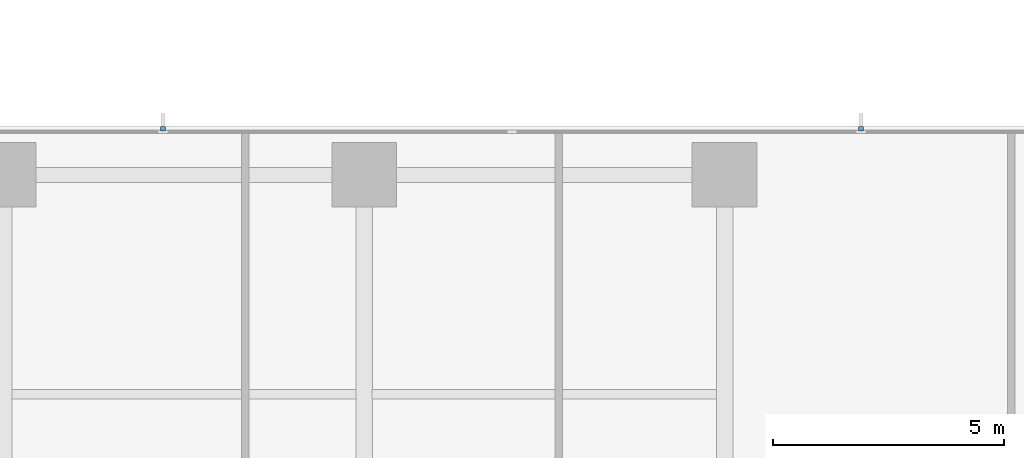
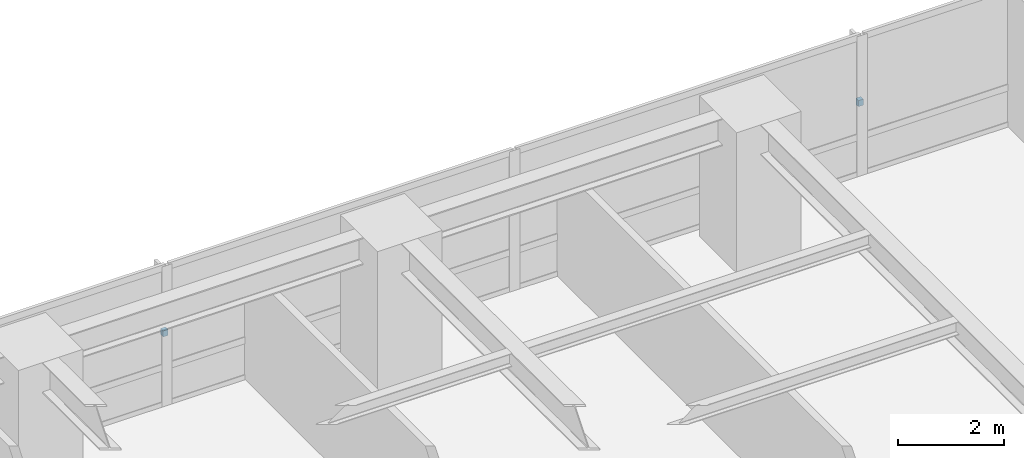
# One storey, part 14 of 17: 2 discrete accessories.
"""IFC4 building model written with IfcOpenShell, lengths in metres."""

from ifc_helpers import new_model, si_unit, direction, frame, origin, place, context, subcontext, project, spatial, polyline, outline, extrude, material, type_object, element, save


model = new_model("IFC4")

# Units and contexts
model_context = context("Model", 3, precision=1e-05, world=origin(), true_north=direction((0.0, 1.0)))
body_context = subcontext(model_context, "Body", "Model", "MODEL_VIEW")
ifc_project = project(units=[si_unit("LENGTHUNIT", "METRE"), si_unit("AREAUNIT", "SQUARE_METRE"), si_unit("VOLUMEUNIT", "CUBIC_METRE"), si_unit("PLANEANGLEUNIT", "RADIAN"), si_unit("MASSUNIT", "GRAM", prefix="KILO")], contexts=[model_context])

# Site, building, storey
site_placement = place(None, origin())
site = spatial("IfcSite", under=ifc_project, at=site_placement, CompositionType="ELEMENT")
building_placement = place(site_placement, origin())
building = spatial("IfcBuilding", under=site, at=building_placement, Name="Qalmaran Belvedere Hotel", CompositionType="ELEMENT")
storey_placement = place(building_placement, frame((0.0, 0.0, 33.39990234375)))
storey = spatial("IfcBuildingStorey", under=building, at=storey_placement, Name="L07", CompositionType="ELEMENT", Elevation=33.39990234375)

# Discrete accessories
ifc_material = material(Name="Stainless Steel 1.4401", Category="steel")
discrete_accessory_type = type_object("IfcDiscreteAccessoryType", Name="BRK-FIN-SS316", PredefinedType="BRACKET", material=ifc_material)
discrete_accessory_1_placement = place(storey_placement, frame((0.0, 0.0, 1.56005859375)))
element("IfcDiscreteAccessory", 1, at=discrete_accessory_1_placement, inside=storey, type_object=discrete_accessory_type, Name="L07 Fin Bracket 1", PredefinedType="BRACKET", context=body_context, shape_type="SweptSolid", body=[
    extrude(outline(polyline([(47.804931640625, 48.39501953125), (47.804931640625, 48.492431640625), (47.695068359375, 48.492431640625), (47.695068359375, 48.39501953125), (47.804931640625, 48.39501953125)])), origin(), (0.0, 0.0, 1.0), 0.14013671875),
])
discrete_accessory_2_placement = place(storey_placement, frame((0.0, 0.0, 1.56005859375)))
element("IfcDiscreteAccessory", 2, at=discrete_accessory_2_placement, inside=storey, type_object=discrete_accessory_type, Name="L07 Fin Bracket 3", PredefinedType="BRACKET", context=body_context, shape_type="SweptSolid", body=[
    extrude(outline(polyline([(32.705078125, 48.39501953125), (32.705078125, 48.492431640625), (32.594970703125, 48.492431640625), (32.594970703125, 48.39501953125), (32.705078125, 48.39501953125)])), origin(), (0.0, 0.0, 1.0), 0.14013671875),
])

save(model, "model.ifc")
